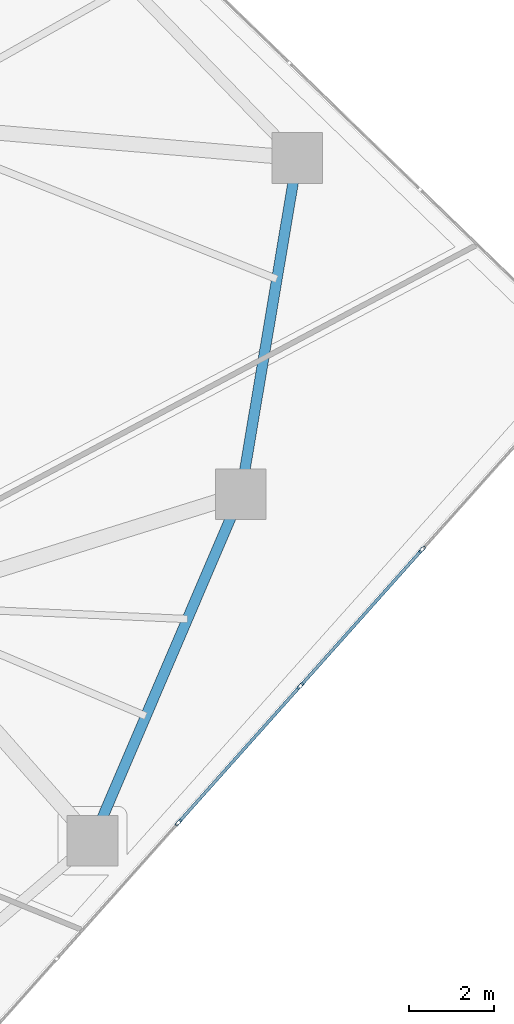
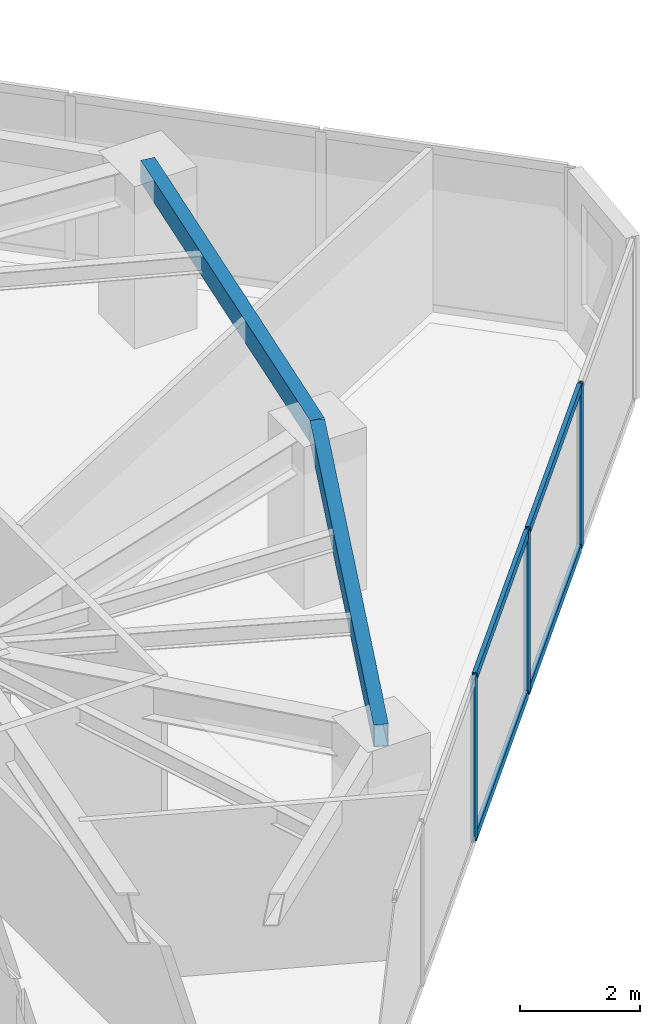
# One storey, part 12 of 23: 7 members, 2 beams, 1 element without a shape of its own.
"""IFC4 building model written with IfcOpenShell, lengths in metres."""

import ifcopenshell
import ifcopenshell.guid

model = None  # the IFC model being written
_history = None  # IfcOwnerHistory: only IFC2X3 demands one
_inside = {}  # id of a spatial element -> (the spatial element, [elements in it])
_under = {}  # id of a project, library or spatial element -> (it, [spatial elements below it])
_declared = {}  # id of a project -> (the project, [libraries it declares])
_typed = {}  # id of a type object -> (the type object, [elements of that type])
_made_of = {}  # id of a material, layer set ... -> (it, [elements and type objects made of it])


def new_model(schema):
    """Start an empty IFC model of exactly this schema.

    Asked for "IFC4X3", IfcOpenShell would pick the latest addendum, in which some entities
    have other attributes; the version numbers below select the first issue.
    IFC2X3 requires an IfcOwnerHistory on every rooted entity: one is made here for all.
    """
    global model, _history
    if schema == "IFC4X3":
        model = ifcopenshell.file(schema_version=(4, 3, 0, 0))
    else:
        model = ifcopenshell.file(schema=schema)
    _inside.clear()
    _under.clear()
    _declared.clear()
    _typed.clear()
    _made_of.clear()
    _history = None
    if model.schema == "IFC2X3":
        org = make("IfcOrganization", Name="unknown")
        user = make(
            "IfcPersonAndOrganization",
            ThePerson=make("IfcPerson", FamilyName="unknown"),
            TheOrganization=org,
        )
        app = make(
            "IfcApplication",
            ApplicationDeveloper=org,
            Version="unknown",
            ApplicationFullName="unknown",
            ApplicationIdentifier="unknown",
        )
        _history = make(
            "IfcOwnerHistory",
            OwningUser=user,
            OwningApplication=app,
            ChangeAction="ADDED",
            CreationDate=0,
        )
    return model


def make(cls, **values):
    """One entity of the class cls with the attributes given. An attribute that is None is left unset."""
    return model.create_entity(
        cls, **{name: value for name, value in values.items() if value is not None}
    )


def rooted(cls, **values):
    """An entity with a GlobalId (a new one), such as an element, a storey or a relation."""
    return make(cls, GlobalId=ifcopenshell.guid.new(), OwnerHistory=_history, **values)


def si_unit(unit_type, name, prefix=None):
    """IfcSIUnit, for example si_unit("LENGTHUNIT", "METRE", prefix="MILLI")."""
    return make("IfcSIUnit", UnitType=unit_type, Prefix=prefix, Name=name)


def assignment(units):
    """IfcUnitAssignment: the units of a project."""
    return None if units is None else make("IfcUnitAssignment", Units=units)


def point(xyz):
    """IfcCartesianPoint."""
    return None if xyz is None else make("IfcCartesianPoint", Coordinates=xyz)


def direction(xyz):
    """IfcDirection."""
    return None if xyz is None else make("IfcDirection", DirectionRatios=xyz)


def frame(location, z_axis=None, x_axis=None):
    """IfcAxis2Placement3D, a coordinate frame: its origin and axes. An axis left out is left unset."""
    return make(
        "IfcAxis2Placement3D",
        Location=point(location),
        Axis=direction(z_axis),
        RefDirection=direction(x_axis),
    )


def frame_2d(location, x_axis=None):
    """IfcAxis2Placement2D, a coordinate frame in the plane: its origin and x axis."""
    return make(
        "IfcAxis2Placement2D", Location=point(location), RefDirection=direction(x_axis)
    )


def origin():
    """The frame at (0, 0, 0) with its axes left unset."""
    return frame((0.0, 0.0, 0.0))


def origin_2d():
    """The frame at (0, 0) in the plane with its x axis left unset."""
    return frame_2d((0.0, 0.0))


def place(relative_to, where):
    """IfcLocalPlacement: puts the frame where relative to a parent placement (None: the world)."""
    return make(
        "IfcLocalPlacement", PlacementRelTo=relative_to, RelativePlacement=where
    )


def context(
    kind, dimensions, precision=None, world=None, true_north=None, identifier=None
):
    """IfcGeometricRepresentationContext, for example the 3D "Model" context."""
    return make(
        "IfcGeometricRepresentationContext",
        ContextIdentifier=identifier,
        ContextType=kind,
        CoordinateSpaceDimension=dimensions,
        Precision=precision,
        WorldCoordinateSystem=world,
        TrueNorth=true_north,
    )


def subcontext(parent, identifier, kind, view, scale=None):
    """IfcGeometricRepresentationSubContext, for example "Body" below "Model"."""
    return make(
        "IfcGeometricRepresentationSubContext",
        ContextIdentifier=identifier,
        ContextType=kind,
        ParentContext=parent,
        TargetScale=scale,
        TargetView=view,
    )


def project(units=None, contexts=None):
    """IfcProject with its units and contexts."""
    return rooted(
        "IfcProject",
        Name="project",
        RepresentationContexts=contexts,
        UnitsInContext=assignment(units),
    )


def spatial(cls, under=None, at=None, **own):
    """A site, building, storey or space (cls), placed at a placement, below another one or the project."""
    s = rooted(cls, ObjectPlacement=at, **own)
    if under is not None:
        _under.setdefault(under.id(), (under, []))[1].append(s)
    return s


def profile(cls, at=None, kind="AREA", **sizes):
    """A parametric profile (cls). Its sizes go by their IFC names, for example OverallWidth=200.0."""
    return make(cls, ProfileType=kind, Position=at, **sizes)


def hollow_rectangle(**sizes):
    """IfcRectangleHollowProfileDef."""
    return profile("IfcRectangleHollowProfileDef", **sizes)


def extrude(swept, where, along, depth):
    """IfcExtrudedAreaSolid: the profile swept, set in the frame where, extruded along a direction by depth."""
    return make(
        "IfcExtrudedAreaSolid",
        SweptArea=swept,
        Position=where,
        ExtrudedDirection=direction(along),
        Depth=depth,
    )


def shape(context_of_items, identifier, shape_type, items):
    """IfcShapeRepresentation: the items that make up one representation, for example the "Body"."""
    return make(
        "IfcShapeRepresentation",
        ContextOfItems=context_of_items,
        RepresentationIdentifier=identifier,
        RepresentationType=shape_type,
        Items=items,
    )


def source(mapping_origin, context_of_items, identifier, shape_type, items):
    """IfcRepresentationMap: a shape defined once, which mapped items show again and again."""
    return make(
        "IfcRepresentationMap",
        MappingOrigin=mapping_origin,
        MappedRepresentation=shape(context_of_items, identifier, shape_type, items),
    )


def transform(
    local_origin,
    x_axis=None,
    y_axis=None,
    z_axis=None,
    scale=None,
    scale2=None,
    scale3=None,
    uniform=True,
):
    """IfcCartesianTransformationOperator3D, or its non-uniform kind. x_axis, y_axis, z_axis: its Axis1, 2, 3."""
    if uniform:
        return make(
            "IfcCartesianTransformationOperator3D",
            Axis1=direction(x_axis),
            Axis2=direction(y_axis),
            LocalOrigin=point(local_origin),
            Scale=scale,
            Axis3=direction(z_axis),
        )
    return make(
        "IfcCartesianTransformationOperator3DnonUniform",
        Axis1=direction(x_axis),
        Axis2=direction(y_axis),
        LocalOrigin=point(local_origin),
        Scale=scale,
        Axis3=direction(z_axis),
        Scale2=scale2,
        Scale3=scale3,
    )


def mapped(mapping_source, mapping_target):
    """IfcMappedItem: shows the shape of a source again, moved by a transform."""
    return make(
        "IfcMappedItem", MappingSource=mapping_source, MappingTarget=mapping_target
    )


def material(Name=None, Category=None):
    """IfcMaterial."""
    return make("IfcMaterial", Name=Name, Category=Category)


def layer(
    of_material, thickness, ventilated=None, Name=None, Category=None, Priority=None
):
    """IfcMaterialLayer: one layer of a wall or slab, of a material (None: an air gap)."""
    return make(
        "IfcMaterialLayer",
        Material=of_material,
        LayerThickness=thickness,
        IsVentilated=ventilated,
        Name=Name,
        Category=Category,
        Priority=Priority,
    )


def layer_set(layers, Name=None):
    """IfcMaterialLayerSet."""
    return make("IfcMaterialLayerSet", MaterialLayers=layers, LayerSetName=Name)


def material_profile(
    of_material, cross_section, Name=None, Category=None, Priority=None
):
    """IfcMaterialProfile: a cross section and its material."""
    return make(
        "IfcMaterialProfile",
        Name=Name,
        Material=of_material,
        Profile=cross_section,
        Priority=Priority,
        Category=Category,
    )


def profile_set(profiles, Name=None, composite=None):
    """IfcMaterialProfileSet."""
    return make(
        "IfcMaterialProfileSet",
        Name=Name,
        MaterialProfiles=profiles,
        CompositeProfile=composite,
    )


def made_of(thing, what):
    """Note that an element or type object is made of a material, layer set ...; save() writes the relation."""
    if what is not None:
        _made_of.setdefault(what.id(), (what, []))[1].append(thing)
    return thing


def type_object(cls, material=None, **own):
    """A type object (cls), such as IfcWallType, which elements share."""
    return made_of(rooted(cls, **own), material)


def type_shapes(of_type, sources):
    """Give a type object the sources (RepresentationMaps) that its elements show as mapped items."""
    of_type.RepresentationMaps = sources


def element(
    cls,
    number,
    at=None,
    inside=None,
    cuts=None,
    type_object=None,
    material=None,
    context=None,
    identifier="Body",
    shape_type=None,
    held_by="IfcProductDefinitionShape",
    body=None,
    shapes=None,
    **own,
):
    """One element of the class cls, such as IfcWall. Its Tag is "e" and its number.

    at: its placement. inside: the storey or other place that contains it. cuts: it is an
    opening in that element (IfcRelVoidsElement). A single representation is given by context,
    identifier, shape_type and body (its items); several are given by shapes. held_by: the class
    of the entity that holds the representations. save() writes the other relations.
    """
    e = rooted(cls, Tag="e%d" % number, ObjectPlacement=at, **own)
    if body is not None:
        shapes = [shape(context, identifier, shape_type, body)]
    if shapes is not None:
        e.Representation = make(held_by, Representations=shapes)
    if inside is not None:
        _inside.setdefault(inside.id(), (inside, []))[1].append(e)
    if cuts is not None:
        rooted(
            "IfcRelVoidsElement", RelatingBuildingElement=cuts, RelatedOpeningElement=e
        )
    if type_object is not None:
        _typed.setdefault(type_object.id(), (type_object, []))[1].append(e)
    return made_of(e, material)


def aggregate(whole, parts):
    """IfcRelAggregates: a whole, such as a stair, and the parts it consists of."""
    return rooted("IfcRelAggregates", RelatingObject=whole, RelatedObjects=parts)


def save(model, path):
    """Write the relations noted so far, then the file.

    IfcRelAggregates (storeys below a building ...), IfcRelContainedInSpatialStructure (elements
    in a storey), IfcRelDefinesByType, IfcRelAssociatesMaterial and IfcRelDeclares: one each for
    every whole, place, type object, material and project.
    """
    for whole, parts in _under.values():
        aggregate(whole, parts)
    for where, things in _inside.values():
        rooted(
            "IfcRelContainedInSpatialStructure",
            RelatedElements=things,
            RelatingStructure=where,
        )
    for kind, things in _typed.values():
        rooted("IfcRelDefinesByType", RelatedObjects=things, RelatingType=kind)
    for what, things in _made_of.values():
        rooted("IfcRelAssociatesMaterial", RelatedObjects=things, RelatingMaterial=what)
    for by, libraries in _declared.values():
        rooted("IfcRelDeclares", RelatingContext=by, RelatedDefinitions=libraries)
    model.write(path)


model = new_model("IFC4")

# Units and contexts
model_context = context("Model", 3, precision=1e-05, world=origin(), true_north=direction((0.0, 1.0)))
body_context = subcontext(model_context, "Body", "Model", "MODEL_VIEW")
ifc_project = project(units=[si_unit("LENGTHUNIT", "METRE"), si_unit("AREAUNIT", "SQUARE_METRE"), si_unit("VOLUMEUNIT", "CUBIC_METRE"), si_unit("PLANEANGLEUNIT", "RADIAN"), si_unit("MASSUNIT", "GRAM", prefix="KILO")], contexts=[model_context])

# Site, building, storey
site_placement = place(None, origin())
site = spatial("IfcSite", under=ifc_project, at=site_placement, CompositionType="ELEMENT")
building_placement = place(site_placement, origin())
building = spatial("IfcBuilding", under=site, at=building_placement, Name="Talar Marvaseh", CompositionType="ELEMENT")
storey_placement = place(building_placement, frame((0.0, 0.0, 103.800048828125)))
storey = spatial("IfcBuildingStorey", under=building, at=storey_placement, Name="L26", CompositionType="ELEMENT", Elevation=103.800048828125)

# Beams
ifc_material_1 = material(Name="Steel S355", Category="steel")
ifc_material_profile_1 = material_profile(ifc_material_1, hollow_rectangle(XDim=0.25, YDim=0.449951171875, WallThickness=0.01611328125, at=origin_2d()), Name="RHS450x250x16")
ifc_profile_set_1 = profile_set([ifc_material_profile_1], Name="Steel S355")
beam_type = type_object("IfcBeamType", Name="Zone 2 Perimeter Spandrel Beam RHS450x250x16", PredefinedType="SPANDREL", material=ifc_profile_set_1)
beam_1_placement = place(storey_placement, frame((43.0439453125, 36.075927734375, 3.0849609375), z_axis=(-0.165641685249, -0.986186002795, 0.0), x_axis=(0.986186002795, -0.165641685249, 0.0)))
element("IfcBeam", 1, at=beam_1_placement, inside=storey, type_object=beam_type, Name="L26 Zone 2 Perimeter Spandrel Beam RHS450x250x16", PredefinedType="SPANDREL", context=body_context, shape_type="SweptSolid", body=[
    extrude(hollow_rectangle(XDim=0.25, YDim=0.449951171875, WallThickness=0.01611328125, at=origin_2d()), origin(), (0.0, 0.0, 1.0), 8.059326171875),
])
beam_2_placement = place(storey_placement, frame((41.708984375, 28.1279296875, 3.0849609375), z_axis=(-0.393369955619, -0.919380268451, 0.0), x_axis=(0.919380268451, -0.393369955619, 0.0)))
element("IfcBeam", 2, at=beam_2_placement, inside=storey, type_object=beam_type, Name="L26 Zone 2 Perimeter Spandrel Beam RHS450x250x16", PredefinedType="SPANDREL", context=body_context, shape_type="SweptSolid", body=[
    extrude(hollow_rectangle(XDim=0.25, YDim=0.449951171875, WallThickness=0.01611328125, at=origin_2d()), origin(), (0.0, 0.0, 1.0), 8.905029296875),
])

# Curtain wall, members
ifc_material_2 = material(Name="Architectural Aluminium", Category="aluminium")
ifc_layer = layer(ifc_material_2, 0.199951171875)
ifc_layer_set = layer_set([ifc_layer], Name="Architectural Aluminium")
curtain_wall_type = type_object("IfcCurtainWallType", Name="Unitised Acoustic Library Curtain Wall Z2", PredefinedType="NOTDEFINED", material=ifc_layer_set)
curtain_wall_placement = place(storey_placement, origin())
curtain_wall = element("IfcCurtainWall", 3, at=curtain_wall_placement, inside=storey, type_object=curtain_wall_type, Name="L26 Unitised Acoustic Library Curtain Wall Z2", PredefinedType="NOTDEFINED")
ifc_material_profile_2 = material_profile(ifc_material_2, hollow_rectangle(XDim=0.074951171875, YDim=0.179931640625, WallThickness=0.0048828125, at=origin_2d()), Name="RHS180x75x5")
ifc_profile_set_2 = profile_set([ifc_material_profile_2], Name="Architectural Aluminium")
member_type_1 = type_object("IfcMemberType", Name="Unitised Curtain Wall Standard Mullion RHS180x75x5", PredefinedType="MULLION", material=ifc_profile_set_2)
shared_shape_1 = source(origin(), body_context, "Body", "SweptSolid", [
    extrude(hollow_rectangle(XDim=0.074951171875, YDim=0.179931640625, WallThickness=0.0048828125, at=origin_2d()), origin(), (0.0, 0.0, 1.0), 3.31005859375),
])
type_shapes(member_type_1, [shared_shape_1])
member_1_placement = place(storey_placement, frame((45.996826171875, 26.824462890625, 0.0), z_axis=(0.0, 0.0, 1.0), x_axis=(0.745952517382, -0.665999130489, 0.0)))
member_1 = element("IfcMember", 4, at=member_1_placement, type_object=member_type_1, Name="CW-Z2 mullion 2", PredefinedType="MULLION", context=body_context, shape_type="MappedRepresentation", body=[
    mapped(shared_shape_1, transform((0.0, 0.0, 0.0), x_axis=(1.0, 0.0, 0.0), y_axis=(0.0, 1.0, 0.0), z_axis=(0.0, 0.0, 1.0), scale=1.0)),
])
member_2_placement = place(storey_placement, frame((43.117431640625, 23.599365234375, 0.0), z_axis=(0.0, 0.0, 1.0), x_axis=(0.745952517382, -0.665999130489, 0.0)))
member_2 = element("IfcMember", 5, at=member_2_placement, type_object=member_type_1, Name="CW-Z2 mullion 3", PredefinedType="MULLION", context=body_context, shape_type="MappedRepresentation", body=[
    mapped(shared_shape_1, transform((0.0, 0.0, 0.0), x_axis=(1.0, 0.0, 0.0), y_axis=(0.0, 1.0, 0.0), z_axis=(0.0, 0.0, 1.0), scale=1.0)),
])
member_3_placement = place(storey_placement, frame((40.238037109375, 20.374267578125, 0.0), z_axis=(0.0, 0.0, 1.0), x_axis=(0.745952517382, -0.665999130489, 0.0)))
member_3 = element("IfcMember", 6, at=member_3_placement, type_object=member_type_1, Name="CW-Z2 mullion 4", PredefinedType="MULLION", context=body_context, shape_type="MappedRepresentation", body=[
    mapped(shared_shape_1, transform((0.0, 0.0, 0.0), x_axis=(1.0, 0.0, 0.0), y_axis=(0.0, 1.0, 0.0), z_axis=(0.0, 0.0, 1.0), scale=1.0)),
])
ifc_material_profile_3 = material_profile(ifc_material_2, hollow_rectangle(XDim=0.074951171875, YDim=0.179931640625, WallThickness=0.0048828125, at=origin_2d()), Name="RHS180x75x5")
ifc_profile_set_3 = profile_set([ifc_material_profile_3], Name="Architectural Aluminium")
member_type_2 = type_object("IfcMemberType", Name="Unitised Curtain Wall Transom RHS180x75x5", PredefinedType="USERDEFINED", material=ifc_profile_set_3)
shared_shape_2 = source(origin(), body_context, "Body", "SweptSolid", [
    extrude(hollow_rectangle(XDim=0.074951171875, YDim=0.179931640625, WallThickness=0.0048828125, at=origin_2d()), origin(), (0.0, 0.0, 1.0), 4.24853515625),
])
type_shapes(member_type_2, [shared_shape_2])
member_4_placement = place(storey_placement, frame((45.971923828125, 26.79638671875, 0.037353515625), z_axis=(-0.666010059575, -0.745942759563, 0.0), x_axis=(0.745942759563, -0.666010059575, 0.0)))
member_4 = element("IfcMember", 7, at=member_4_placement, type_object=member_type_2, Name="CW-Z2 transom 2.1", ObjectType="TRANSOM", PredefinedType="USERDEFINED", context=body_context, shape_type="MappedRepresentation", body=[
    mapped(shared_shape_2, transform((0.0, 0.0, 0.0), x_axis=(1.0, 0.0, 0.0), y_axis=(0.0, 1.0, 0.0), z_axis=(0.0, 0.0, 1.0), scale=1.0)),
])
member_5_placement = place(storey_placement, frame((45.971923828125, 26.79638671875, 3.2724609375), z_axis=(-0.666010059575, -0.745942759563, 0.0), x_axis=(0.745942759563, -0.666010059575, 0.0)))
member_5 = element("IfcMember", 8, at=member_5_placement, type_object=member_type_2, Name="CW-Z2 transom 2.2", ObjectType="TRANSOM", PredefinedType="USERDEFINED", context=body_context, shape_type="MappedRepresentation", body=[
    mapped(shared_shape_2, transform((0.0, 0.0, 0.0), x_axis=(1.0, 0.0, 0.0), y_axis=(0.0, 1.0, 0.0), z_axis=(0.0, 0.0, 1.0), scale=1.0)),
])
member_6_placement = place(storey_placement, frame((43.092529296875, 23.5712890625, 0.037353515625), z_axis=(-0.666010059575, -0.745942759563, 0.0), x_axis=(0.745942759563, -0.666010059575, 0.0)))
member_6 = element("IfcMember", 9, at=member_6_placement, type_object=member_type_2, Name="CW-Z2 transom 3.1", ObjectType="TRANSOM", PredefinedType="USERDEFINED", context=body_context, shape_type="MappedRepresentation", body=[
    mapped(shared_shape_2, transform((0.0, 0.0, 0.0), x_axis=(1.0, 0.0, 0.0), y_axis=(0.0, 1.0, 0.0), z_axis=(0.0, 0.0, 1.0), scale=1.0)),
])
member_7_placement = place(storey_placement, frame((43.092529296875, 23.5712890625, 3.2724609375), z_axis=(-0.666010059575, -0.745942759563, 0.0), x_axis=(0.745942759563, -0.666010059575, 0.0)))
member_7 = element("IfcMember", 10, at=member_7_placement, type_object=member_type_2, Name="CW-Z2 transom 3.2", ObjectType="TRANSOM", PredefinedType="USERDEFINED", context=body_context, shape_type="MappedRepresentation", body=[
    mapped(shared_shape_2, transform((0.0, 0.0, 0.0), x_axis=(1.0, 0.0, 0.0), y_axis=(0.0, 1.0, 0.0), z_axis=(0.0, 0.0, 1.0), scale=1.0)),
])
aggregate(curtain_wall, [member_1, member_2, member_3, member_4, member_5, member_6, member_7])

save(model, "model.ifc")
